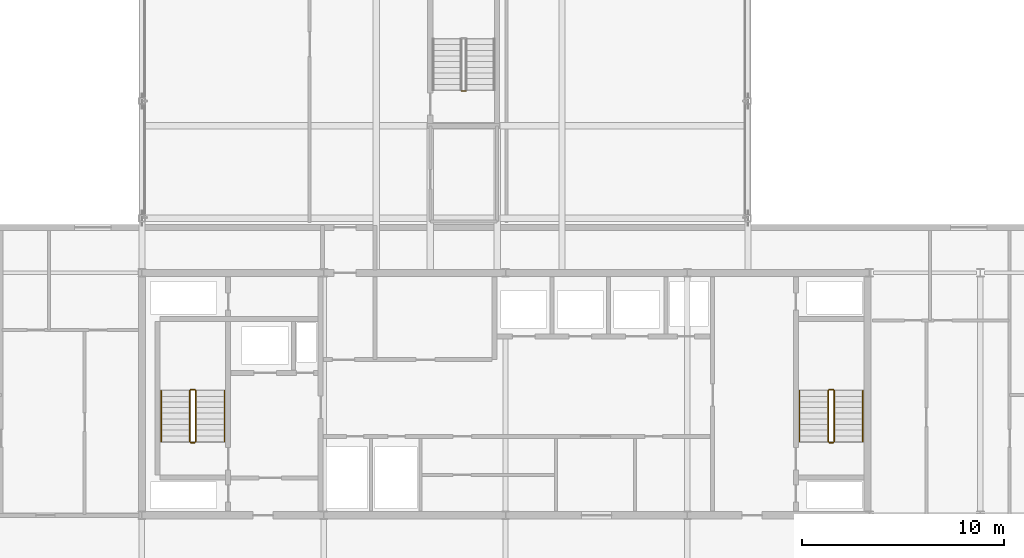
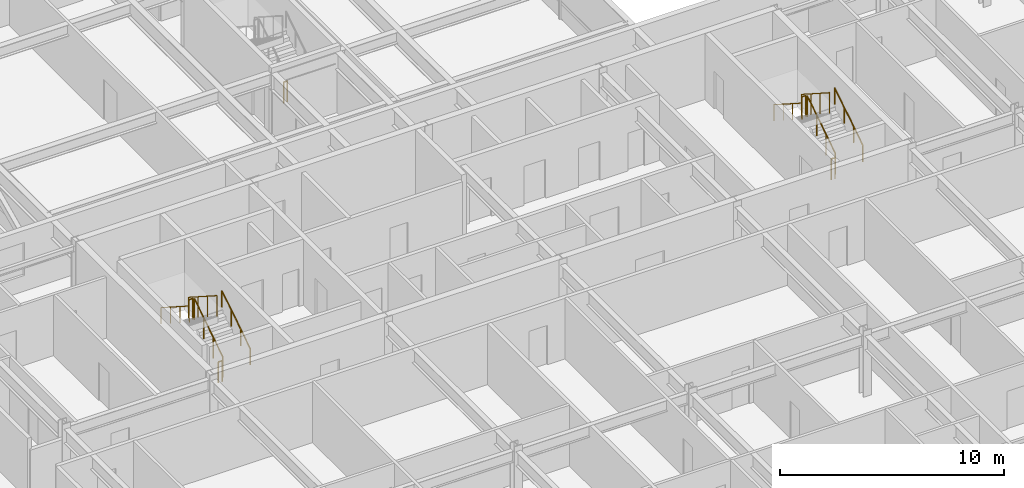
# One storey, part 32 of 36: 13 railings.
"""IFC4 building model written with IfcOpenShell, lengths in metres."""

from ifc_helpers import new_model, si_unit, direction, frame, origin, origin_2d, place, context, subcontext, project, spatial, circle, extrude, material, type_object, element, save


model = new_model("IFC4")

# Units and contexts
model_context = context("Model", 3, precision=1e-05, world=origin(), true_north=direction((0.0, 1.0)))
body_context = subcontext(model_context, "Body", "Model", "MODEL_VIEW")
ifc_project = project(units=[si_unit("LENGTHUNIT", "METRE"), si_unit("AREAUNIT", "SQUARE_METRE"), si_unit("VOLUMEUNIT", "CUBIC_METRE"), si_unit("PLANEANGLEUNIT", "RADIAN"), si_unit("MASSUNIT", "GRAM", prefix="KILO")], contexts=[model_context])

# Site, building, storey
site_placement = place(None, origin())
site = spatial("IfcSite", under=ifc_project, at=site_placement, CompositionType="ELEMENT")
building_placement = place(site_placement, origin())
building = spatial("IfcBuilding", under=site, at=building_placement, Name="Korimba Cascade Residences", CompositionType="ELEMENT")
storey_placement = place(building_placement, frame((0.0, 0.0, 139.300048828125)))
storey = spatial("IfcBuildingStorey", under=building, at=storey_placement, Name="L40", CompositionType="ELEMENT", Elevation=139.300048828125)

# Railings
ifc_material_1 = material(Name="Painted Steel Stairwell Guardrail", Category="steel")
railing_type_1 = type_object("IfcRailingType", Name="RLG-ST-GD1150", PredefinedType="GUARDRAIL", material=ifc_material_1)
railing_1_placement = place(storey_placement, frame((84.77001953125, 22.050048828125, 0.179931640625)))
element("IfcRailing", 1, at=railing_1_placement, inside=storey, type_object=railing_type_1, Name="L40 ST-E1 stair guard 1", PredefinedType="GUARDRAIL", context=body_context, shape_type="SweptSolid", body=[
    extrude(circle(Radius=0.02392578125, at=origin_2d()), frame((0.0, 0.0, 1.1259765625), z_axis=(0.0, 0.841162588446, 0.540782303519), x_axis=(-1.0, 0.0, 0.0)), (0.0, 0.0, 1.0), 2.995849609375),
    extrude(circle(Radius=0.02099609375, at=origin_2d()), origin(), (0.0, 0.0, 1.0), 1.101806640625),
    extrude(circle(Radius=0.02099609375, at=origin_2d()), frame((0.0, 0.840087890625, 0.5400390625)), (0.0, 0.0, 1.0), 1.101806640625),
    extrude(circle(Radius=0.02099609375, at=origin_2d()), frame((0.0, 1.679931640625, 1.080078125)), (0.0, 0.0, 1.0), 1.101806640625),
    extrude(circle(Radius=0.02099609375, at=origin_2d()), frame((0.0, 2.52001953125, 1.6201171875)), (0.0, 0.0, 1.0), 1.101806640625),
])
railing_2_placement = place(storey_placement, frame((84.719970703125, 24.6201171875, 1.800048828125)))
element("IfcRailing", 2, at=railing_2_placement, inside=storey, type_object=railing_type_1, Name="L40 ST-E1 stair guard 2", PredefinedType="GUARDRAIL", context=body_context, shape_type="SweptSolid", body=[
    extrude(circle(Radius=0.02392578125, at=origin_2d()), frame((0.0, 0.0, 1.1259765625), z_axis=(-1.0, 0.0, 0.0), x_axis=(0.0, -1.0, 0.0)), (0.0, 0.0, 1.0), 0.199951171875),
    extrude(circle(Radius=0.02099609375, at=origin_2d()), origin(), (0.0, 0.0, 1.0), 1.101806640625),
    extrude(circle(Radius=0.02099609375, at=origin_2d()), frame((-0.199951171875, 0.0, 0.0)), (0.0, 0.0, 1.0), 1.101806640625),
])
railing_3_placement = place(storey_placement, frame((84.469970703125, 24.570068359375, 1.97998046875)))
element("IfcRailing", 3, at=railing_3_placement, inside=storey, type_object=railing_type_1, Name="L40 ST-E1 stair guard 3", PredefinedType="GUARDRAIL", context=body_context, shape_type="SweptSolid", body=[
    extrude(circle(Radius=0.02392578125, at=origin_2d()), frame((0.0, 0.0, 1.1259765625), z_axis=(0.0, -0.841199657755, 0.540724639528), x_axis=(1.0, 0.0, 0.0)), (0.0, 0.0, 1.0), 2.995849609375),
    extrude(circle(Radius=0.02099609375, at=origin_2d()), origin(), (0.0, 0.0, 1.0), 1.101806640625),
    extrude(circle(Radius=0.02099609375, at=origin_2d()), frame((0.0, -0.840087890625, 0.5400390625)), (0.0, 0.0, 1.0), 1.101806640625),
    extrude(circle(Radius=0.02099609375, at=origin_2d()), frame((0.0, -1.679931640625, 1.079833984375)), (0.0, 0.0, 1.0), 1.101806640625),
    extrude(circle(Radius=0.02099609375, at=origin_2d()), frame((0.0, -2.52001953125, 1.619873046875)), (0.0, 0.0, 1.0), 1.101806640625),
])
railing_4_placement = place(storey_placement, frame((84.719970703125, 22.0, 0.0)))
element("IfcRailing", 4, at=railing_4_placement, inside=storey, type_object=railing_type_1, Name="L40 ST-E1 stair guard 4", PredefinedType="GUARDRAIL", context=body_context, shape_type="SweptSolid", body=[
    extrude(circle(Radius=0.02392578125, at=origin_2d()), frame((0.0, 0.0, 1.1259765625), z_axis=(-1.0, 0.0, 0.0), x_axis=(0.0, -1.0, 0.0)), (0.0, 0.0, 1.0), 0.199951171875),
    extrude(circle(Radius=0.02099609375, at=origin_2d()), origin(), (0.0, 0.0, 1.0), 1.101806640625),
    extrude(circle(Radius=0.02099609375, at=origin_2d()), frame((-0.199951171875, 0.0, 0.0)), (0.0, 0.0, 1.0), 1.101806640625),
])
railing_5_placement = place(storey_placement, frame((116.3701171875, 22.050048828125, 0.179931640625)))
element("IfcRailing", 5, at=railing_5_placement, inside=storey, type_object=railing_type_1, Name="L40 ST-E2 stair guard 1", PredefinedType="GUARDRAIL", context=body_context, shape_type="SweptSolid", body=[
    extrude(circle(Radius=0.02392578125, at=origin_2d()), frame((0.0, 0.0, 1.1259765625), z_axis=(0.0, 0.841162588446, 0.540782303519), x_axis=(-1.0, 0.0, 0.0)), (0.0, 0.0, 1.0), 2.995849609375),
    extrude(circle(Radius=0.02099609375, at=origin_2d()), origin(), (0.0, 0.0, 1.0), 1.101806640625),
    extrude(circle(Radius=0.02099609375, at=origin_2d()), frame((0.0, 0.840087890625, 0.5400390625)), (0.0, 0.0, 1.0), 1.101806640625),
    extrude(circle(Radius=0.02099609375, at=origin_2d()), frame((0.0, 1.679931640625, 1.080078125)), (0.0, 0.0, 1.0), 1.101806640625),
    extrude(circle(Radius=0.02099609375, at=origin_2d()), frame((0.0, 2.52001953125, 1.6201171875)), (0.0, 0.0, 1.0), 1.101806640625),
])
railing_6_placement = place(storey_placement, frame((116.320068359375, 24.6201171875, 1.800048828125)))
element("IfcRailing", 6, at=railing_6_placement, inside=storey, type_object=railing_type_1, Name="L40 ST-E2 stair guard 2", PredefinedType="GUARDRAIL", context=body_context, shape_type="SweptSolid", body=[
    extrude(circle(Radius=0.02392578125, at=origin_2d()), frame((0.0, 0.0, 1.1259765625), z_axis=(-1.0, 0.0, 0.0), x_axis=(0.0, -1.0, 0.0)), (0.0, 0.0, 1.0), 0.199951171875),
    extrude(circle(Radius=0.02099609375, at=origin_2d()), origin(), (0.0, 0.0, 1.0), 1.101806640625),
    extrude(circle(Radius=0.02099609375, at=origin_2d()), frame((-0.199951171875, 0.0, 0.0)), (0.0, 0.0, 1.0), 1.101806640625),
])
railing_7_placement = place(storey_placement, frame((116.070068359375, 24.570068359375, 1.97998046875)))
element("IfcRailing", 7, at=railing_7_placement, inside=storey, type_object=railing_type_1, Name="L40 ST-E2 stair guard 3", PredefinedType="GUARDRAIL", context=body_context, shape_type="SweptSolid", body=[
    extrude(circle(Radius=0.02392578125, at=origin_2d()), frame((0.0, 0.0, 1.1259765625), z_axis=(0.0, -0.841199657755, 0.540724639528), x_axis=(1.0, 0.0, 0.0)), (0.0, 0.0, 1.0), 2.995849609375),
    extrude(circle(Radius=0.02099609375, at=origin_2d()), origin(), (0.0, 0.0, 1.0), 1.101806640625),
    extrude(circle(Radius=0.02099609375, at=origin_2d()), frame((0.0, -0.840087890625, 0.5400390625)), (0.0, 0.0, 1.0), 1.101806640625),
    extrude(circle(Radius=0.02099609375, at=origin_2d()), frame((0.0, -1.679931640625, 1.079833984375)), (0.0, 0.0, 1.0), 1.101806640625),
    extrude(circle(Radius=0.02099609375, at=origin_2d()), frame((0.0, -2.52001953125, 1.619873046875)), (0.0, 0.0, 1.0), 1.101806640625),
])
for number, where, name in (
    (8, (116.320068359375, 22.0, 0.0), "L40 ST-E2 stair guard 4"),
    (9, (98.1298828125, 39.39990234375, 0.0), "L40 ST-BR1 stair guard 4"),
):
    element("IfcRailing", number, at=place(storey_placement, frame(where)), inside=storey, type_object=railing_type_1, Name=name, PredefinedType="GUARDRAIL", context=body_context, shape_type="SweptSolid", body=[
        extrude(circle(Radius=0.02392578125, at=origin_2d()), frame((0.0, 0.0, 1.1259765625), z_axis=(-1.0, 0.0, 0.0), x_axis=(0.0, -1.0, 0.0)), (0.0, 0.0, 1.0), 0.199951171875),
        extrude(circle(Radius=0.02099609375, at=origin_2d()), origin(), (0.0, 0.0, 1.0), 1.101806640625),
        extrude(circle(Radius=0.02099609375, at=origin_2d()), frame((-0.199951171875, 0.0, 0.0)), (0.0, 0.0, 1.0), 1.101806640625),
    ])
ifc_material_2 = material(Name="Brushed Stainless Steel Handrail", Category="steel")
railing_type_2 = type_object("IfcRailingType", Name="RLG-ST-HR900", PredefinedType="HANDRAIL", material=ifc_material_2)
railing_8_placement = place(storey_placement, frame((86.18994140625, 22.050048828125, 0.36376953125)))
element("IfcRailing", 10, at=railing_8_placement, inside=storey, type_object=railing_type_2, Name="L40 ST-E1 stair handrail 1", PredefinedType="HANDRAIL", context=body_context, shape_type="SweptSolid", body=[
    extrude(circle(Radius=0.02392578125, at=origin_2d()), frame((0.0, 0.0, 0.8759765625), z_axis=(0.0, 0.841199657755, 0.540724639528), x_axis=(-1.0, 0.0, 0.0)), (0.0, 0.0, 1.0), 2.995849609375),
    extrude(circle(Radius=0.02099609375, at=origin_2d()), origin(), (0.0, 0.0, 1.0), 0.851806640625),
    extrude(circle(Radius=0.02099609375, at=origin_2d()), frame((0.0, 0.840087890625, 0.5400390625)), (0.0, 0.0, 1.0), 0.851806640625),
    extrude(circle(Radius=0.02099609375, at=origin_2d()), frame((0.0, 1.679931640625, 1.079833984375)), (0.0, 0.0, 1.0), 0.851806640625),
    extrude(circle(Radius=0.02099609375, at=origin_2d()), frame((0.0, 2.52001953125, 1.619873046875)), (0.0, 0.0, 1.0), 0.851806640625),
])
railing_9_placement = place(storey_placement, frame((83.050048828125, 24.570068359375, 2.163818359375)))
element("IfcRailing", 11, at=railing_9_placement, inside=storey, type_object=railing_type_2, Name="L40 ST-E1 stair handrail 2", PredefinedType="HANDRAIL", context=body_context, shape_type="SweptSolid", body=[
    extrude(circle(Radius=0.02392578125, at=origin_2d()), frame((0.0, 0.0, 0.8759765625), z_axis=(0.0, -0.841199657755, 0.540724639528), x_axis=(1.0, 0.0, 0.0)), (0.0, 0.0, 1.0), 2.995849609375),
    extrude(circle(Radius=0.02099609375, at=origin_2d()), origin(), (0.0, 0.0, 1.0), 0.851806640625),
    extrude(circle(Radius=0.02099609375, at=origin_2d()), frame((0.0, -0.840087890625, 0.5400390625)), (0.0, 0.0, 1.0), 0.851806640625),
    extrude(circle(Radius=0.02099609375, at=origin_2d()), frame((0.0, -1.679931640625, 1.079833984375)), (0.0, 0.0, 1.0), 0.851806640625),
    extrude(circle(Radius=0.02099609375, at=origin_2d()), frame((0.0, -2.52001953125, 1.619873046875)), (0.0, 0.0, 1.0), 0.851806640625),
])
railing_10_placement = place(storey_placement, frame((117.7900390625, 22.050048828125, 0.36376953125)))
element("IfcRailing", 12, at=railing_10_placement, inside=storey, type_object=railing_type_2, Name="L40 ST-E2 stair handrail 1", PredefinedType="HANDRAIL", context=body_context, shape_type="SweptSolid", body=[
    extrude(circle(Radius=0.02392578125, at=origin_2d()), frame((0.0, 0.0, 0.8759765625), z_axis=(0.0, 0.841199657755, 0.540724639528), x_axis=(-1.0, 0.0, 0.0)), (0.0, 0.0, 1.0), 2.995849609375),
    extrude(circle(Radius=0.02099609375, at=origin_2d()), origin(), (0.0, 0.0, 1.0), 0.851806640625),
    extrude(circle(Radius=0.02099609375, at=origin_2d()), frame((0.0, 0.840087890625, 0.5400390625)), (0.0, 0.0, 1.0), 0.851806640625),
    extrude(circle(Radius=0.02099609375, at=origin_2d()), frame((0.0, 1.679931640625, 1.079833984375)), (0.0, 0.0, 1.0), 0.851806640625),
    extrude(circle(Radius=0.02099609375, at=origin_2d()), frame((0.0, 2.52001953125, 1.619873046875)), (0.0, 0.0, 1.0), 0.851806640625),
])
railing_11_placement = place(storey_placement, frame((114.64990234375, 24.570068359375, 2.163818359375)))
element("IfcRailing", 13, at=railing_11_placement, inside=storey, type_object=railing_type_2, Name="L40 ST-E2 stair handrail 2", PredefinedType="HANDRAIL", context=body_context, shape_type="SweptSolid", body=[
    extrude(circle(Radius=0.02392578125, at=origin_2d()), frame((0.0, 0.0, 0.8759765625), z_axis=(0.0, -0.841199657755, 0.540724639528), x_axis=(1.0, 0.0, 0.0)), (0.0, 0.0, 1.0), 2.995849609375),
    extrude(circle(Radius=0.02099609375, at=origin_2d()), origin(), (0.0, 0.0, 1.0), 0.851806640625),
    extrude(circle(Radius=0.02099609375, at=origin_2d()), frame((0.0, -0.840087890625, 0.5400390625)), (0.0, 0.0, 1.0), 0.851806640625),
    extrude(circle(Radius=0.02099609375, at=origin_2d()), frame((0.0, -1.679931640625, 1.079833984375)), (0.0, 0.0, 1.0), 0.851806640625),
    extrude(circle(Radius=0.02099609375, at=origin_2d()), frame((0.0, -2.52001953125, 1.619873046875)), (0.0, 0.0, 1.0), 0.851806640625),
])

save(model, "model.ifc")
